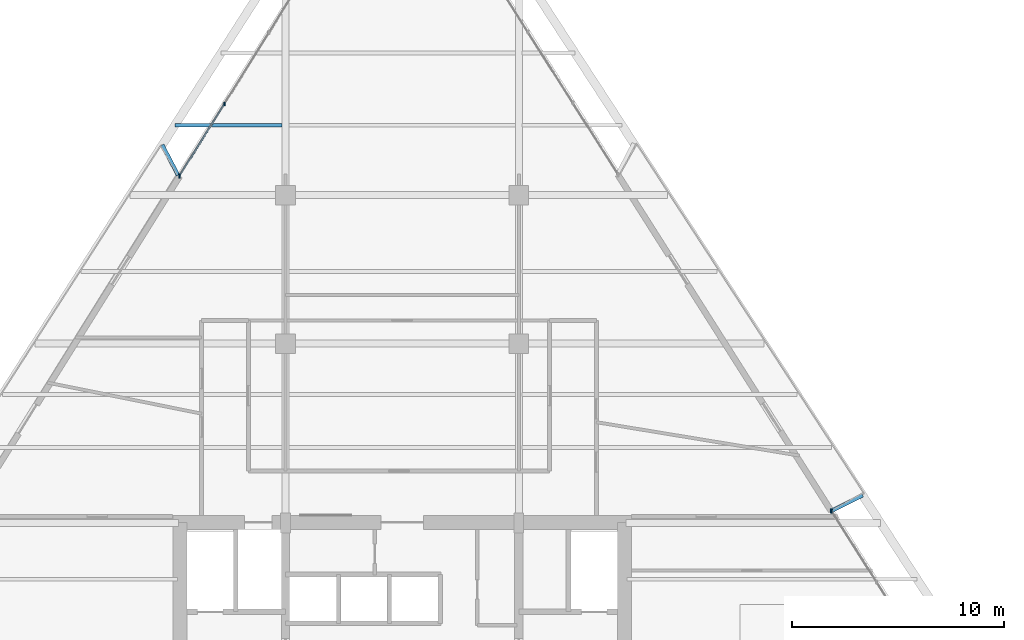
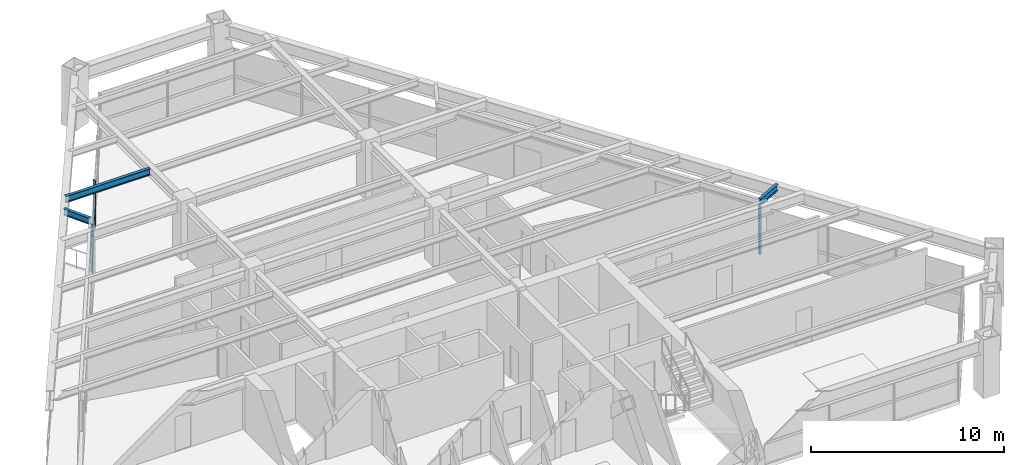
# One storey, part 8 of 15: 6 members, 3 beams, 2 elements without a shape of their own.
"""IFC4 building model written with IfcOpenShell, lengths in metres."""

from ifc_helpers import new_model, si_unit, direction, frame, origin, origin_2d, place, context, subcontext, project, spatial, rectangle, i_section, extrude, source, transform, mapped, material, material_profile, profile_set, type_object, element, aggregate, save


model = new_model("IFC4")

# Units and contexts
model_context = context("Model", 3, precision=1e-05, world=origin(), true_north=direction((0.0, 1.0)))
body_context = subcontext(model_context, "Body", "Model", "MODEL_VIEW")
ifc_project = project(units=[si_unit("LENGTHUNIT", "METRE"), si_unit("AREAUNIT", "SQUARE_METRE"), si_unit("VOLUMEUNIT", "CUBIC_METRE"), si_unit("PLANEANGLEUNIT", "RADIAN"), si_unit("MASSUNIT", "GRAM", prefix="KILO")], contexts=[model_context])

# Site, building, storey
site_placement = place(None, origin())
site = spatial("IfcSite", under=ifc_project, at=site_placement, CompositionType="ELEMENT")
building_placement = place(site_placement, origin())
building = spatial("IfcBuilding", under=site, at=building_placement, Name="Varnakhor Terracotta Tower", CompositionType="ELEMENT")
storey_placement = place(building_placement, frame((0.0, 0.0, 178.39990234375)))
storey = spatial("IfcBuildingStorey", under=building, at=storey_placement, Name="L45", CompositionType="ELEMENT", Elevation=178.39990234375)

# Beams
ifc_material_1 = material(Name="Steel S355", Category="steel")
ifc_material_profile_1 = material_profile(ifc_material_1, i_section(OverallWidth=0.179931640625, OverallDepth=0.4130859375, WebThickness=0.009765625, FlangeThickness=0.01611328125, FilletRadius=0.01806640625, at=origin_2d()), Name="W16X50")
ifc_profile_set_1 = profile_set([ifc_material_profile_1], Name="Steel S355")
beam_type_1 = type_object("IfcBeamType", Name="JST-W16X50", PredefinedType="JOIST", material=ifc_profile_set_1)
shared_shape_1 = source(origin(), body_context, "Body", "SweptSolid", [
    extrude(i_section(OverallWidth=0.179931640625, OverallDepth=0.4130859375, WebThickness=0.009765625, FlangeThickness=0.01611328125, FilletRadius=0.01806640625, at=origin_2d()), origin(), (0.0, 0.0, 1.0), 5.05419921875),
])
beam_1_placement = place(storey_placement, frame((-10.712646484375, 34.800048828125, 3.263671875), z_axis=(1.0, 0.0, 0.0), x_axis=(0.0, 1.0, 0.0)))
element("IfcBeam", 1, at=beam_1_placement, inside=storey, type_object=beam_type_1, Name="L45 Composite Floor Joist 7-1", PredefinedType="JOIST", context=body_context, shape_type="MappedRepresentation", body=[
    mapped(shared_shape_1, transform((0.0, 0.0, 0.0), scale=1.0)),
])
ifc_material_profile_2 = material_profile(ifc_material_1, i_section(OverallWidth=0.179931640625, OverallDepth=0.39990234375, WebThickness=0.008544921875, FlangeThickness=0.013427734375, FilletRadius=0.01806640625, at=origin_2d()), Name="IPE400")
ifc_profile_set_2 = profile_set([ifc_material_profile_2], Name="Steel S355")
beam_type_2 = type_object("IfcBeamType", Name="JST-IPE400", PredefinedType="JOIST", material=ifc_profile_set_2)
shared_shape_2 = source(origin(), body_context, "Body", "SweptSolid", [
    extrude(i_section(OverallWidth=0.179931640625, OverallDepth=0.39990234375, WebThickness=0.008544921875, FlangeThickness=0.013427734375, FilletRadius=0.01806640625, at=origin_2d()), origin(), (0.0, 0.0, 1.0), 1.606201171875),
])
beam_2_placement = place(storey_placement, frame((-10.56591796875, 32.44482421875, 3.27001953125), z_axis=(-0.46241015121, 0.886666144644, 0.0), x_axis=(-0.886666144644, -0.46241015121, 0.0)))
element("IfcBeam", 2, at=beam_2_placement, inside=storey, type_object=beam_type_2, Name="L46 W Loggia Tie Beam 2", PredefinedType="JOIST", context=body_context, shape_type="MappedRepresentation", body=[
    mapped(shared_shape_2, transform((0.0, 0.0, 0.0), scale=1.0)),
])

# Curtain wall, members
ifc_material_2 = material(Name="Anodised Aluminium Curtain Wall System", Category="aluminium")
curtain_wall_type = type_object("IfcCurtainWallType", Name="CW-SYS-MID-OFFICE", PredefinedType="NOTDEFINED", material=ifc_material_2)
curtain_wall_1_placement = place(storey_placement, origin())
curtain_wall_1 = element("IfcCurtainWall", 3, at=curtain_wall_1_placement, inside=storey, type_object=curtain_wall_type, Name="L45 W Facet Curtain Wall 2", PredefinedType="NOTDEFINED")
ifc_material_3 = material(Name="Anodised Aluminium 6063-T6", Category="aluminium")
ifc_material_profile_3 = material_profile(ifc_material_3, rectangle(XDim=0.070068359375, YDim=0.175048828125, at=origin_2d()), Name="ALU MULLION 70x175")
ifc_profile_set_3 = profile_set([ifc_material_profile_3], Name="Anodised Aluminium 6063-T6")
member_type_1 = type_object("IfcMemberType", Name="CWM-03", PredefinedType="MULLION", material=ifc_profile_set_3)
shared_shape_3 = source(origin(), body_context, "Body", "SweptSolid", [
    extrude(rectangle(XDim=0.070068359375, YDim=0.175048828125, at=origin_2d()), origin(), (0.0, 0.0, 1.0), 3.050048828125),
])
member_1_placement = place(storey_placement, frame((-10.4912109375, 32.428955078125, 0.0), z_axis=(0.0, 0.0, 1.0), x_axis=(1.0, 0.0, 0.0)))
member_1 = element("IfcMember", 4, at=member_1_placement, type_object=member_type_1, Name="L45 W Facet Curtain Wall 2 Mullion 1", PredefinedType="MULLION", context=body_context, shape_type="MappedRepresentation", body=[
    mapped(shared_shape_3, transform((0.0, 0.0, 0.0), scale=1.0)),
])
member_2_placement = place(storey_placement, frame((-8.384521484375, 35.79638671875, 0.0), z_axis=(0.0, 0.0, 1.0), x_axis=(1.0, 0.0, 0.0)))
member_2 = element("IfcMember", 5, at=member_2_placement, type_object=member_type_1, Name="L45 W Facet Curtain Wall 2 Mullion 2", PredefinedType="MULLION", context=body_context, shape_type="MappedRepresentation", body=[
    mapped(shared_shape_3, transform((0.0, 0.0, 0.0), scale=1.0)),
])
member_3_placement = place(storey_placement, frame((-10.489990234375, 32.392822265625, 0.0), z_axis=(0.0, 0.0, 1.0), x_axis=(1.0, 0.0, 0.0)))
member_3 = element("IfcMember", 6, at=member_3_placement, type_object=member_type_1, Name="L45 W Loggia Jamb Closure Mullion 2", PredefinedType="MULLION", context=body_context, shape_type="MappedRepresentation", body=[
    mapped(shared_shape_3, transform((0.0, 0.0, 0.0), scale=1.0)),
])

curtain_wall_2_placement = place(storey_placement, origin())
curtain_wall_2 = element("IfcCurtainWall", 7, at=curtain_wall_2_placement, inside=storey, type_object=curtain_wall_type, Name="L45 E Facet Curtain Wall 2", PredefinedType="NOTDEFINED")
member_4_placement = place(storey_placement, frame((20.24658203125, 16.606201171875, 0.0), z_axis=(0.0, 0.0, 1.0), x_axis=(1.0, 0.0, 0.0)))
member_4 = element("IfcMember", 8, at=member_4_placement, type_object=member_type_1, Name="L45 E Facet Curtain Wall 2 Mullion 1", PredefinedType="MULLION", context=body_context, shape_type="MappedRepresentation", body=[
    mapped(shared_shape_3, transform((0.0, 0.0, 0.0), scale=1.0)),
])
member_5_placement = place(storey_placement, frame((20.2138671875, 16.620849609375, 0.0), z_axis=(0.0, 0.0, 1.0), x_axis=(1.0, 0.0, 0.0)))
member_5 = element("IfcMember", 9, at=member_5_placement, type_object=member_type_1, Name="L45 E Loggia Jamb Closure Mullion 2", PredefinedType="MULLION", context=body_context, shape_type="MappedRepresentation", body=[
    mapped(shared_shape_3, transform((0.0, 0.0, 0.0), scale=1.0)),
])
aggregate(curtain_wall_2, [member_4, member_5])

# Member
ifc_material_profile_4 = material_profile(ifc_material_3, rectangle(XDim=0.070068359375, YDim=0.155029296875, at=origin_2d()), Name="ALU TRANSOM 70x155")
ifc_profile_set_4 = profile_set([ifc_material_profile_4], Name="Anodised Aluminium 6063-T6")
member_type_2 = type_object("IfcMemberType", Name="CWT-03", PredefinedType="USERDEFINED", material=ifc_profile_set_4)
shared_shape_4 = source(origin(), body_context, "Body", "SweptSolid", [
    extrude(rectangle(XDim=0.070068359375, YDim=0.155029296875, at=origin_2d()), origin(), (0.0, 0.0, 1.0), 3.97216796875),
])
member_6_placement = place(storey_placement, frame((-10.4912109375, 32.428955078125, 1.281005859375), z_axis=(0.530369052068, 0.847766871616, 0.0), x_axis=(-0.847766871616, 0.530369052068, 0.0)))
member_6 = element("IfcMember", 10, at=member_6_placement, type_object=member_type_2, Name="L45 W Facet Curtain Wall 2 Transom 1", ObjectType="TRANSOM", PredefinedType="USERDEFINED", context=body_context, shape_type="MappedRepresentation", body=[
    mapped(shared_shape_4, transform((0.0, 0.0, 0.0), scale=1.0)),
])

aggregate(curtain_wall_1, [member_1, member_6, member_2, member_3])

# Beam
shared_shape_5 = source(origin(), body_context, "Body", "SweptSolid", [
    extrude(i_section(OverallWidth=0.179931640625, OverallDepth=0.39990234375, WebThickness=0.008544921875, FlangeThickness=0.013427734375, FilletRadius=0.01806640625, at=origin_2d()), origin(), (0.0, 0.0, 1.0), 1.626220703125),
])
beam_3_placement = place(storey_placement, frame((20.24658203125, 16.62353515625, 3.27001953125), z_axis=(0.89367532196, 0.448714183997, 0.0), x_axis=(-0.448714183997, 0.89367532196, 0.0)))
element("IfcBeam", 11, at=beam_3_placement, inside=storey, type_object=beam_type_2, Name="L46 E Loggia Tie Beam 2", PredefinedType="JOIST", context=body_context, shape_type="MappedRepresentation", body=[
    mapped(shared_shape_5, transform((0.0, 0.0, 0.0), scale=1.0)),
])

save(model, "model.ifc")
